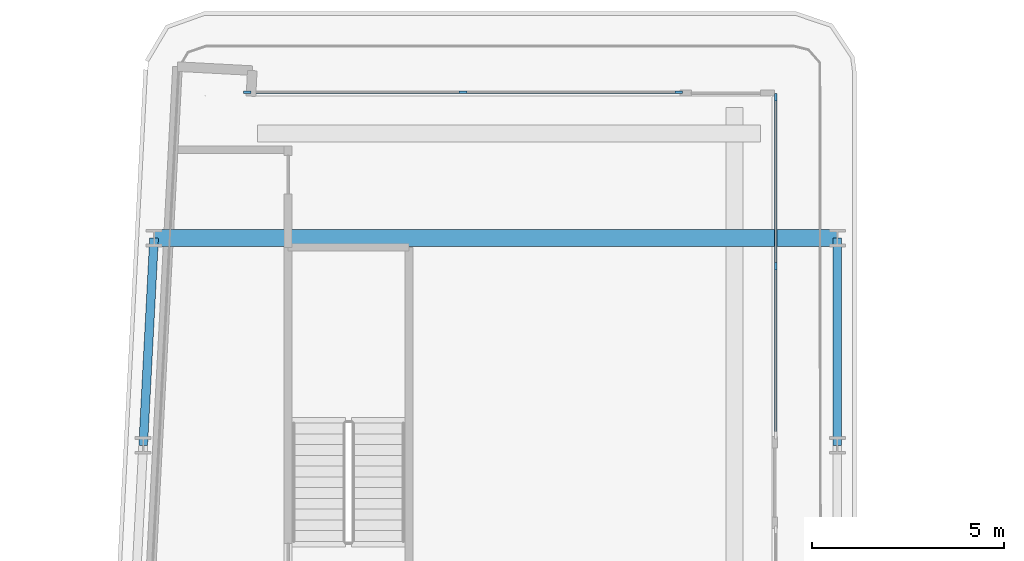
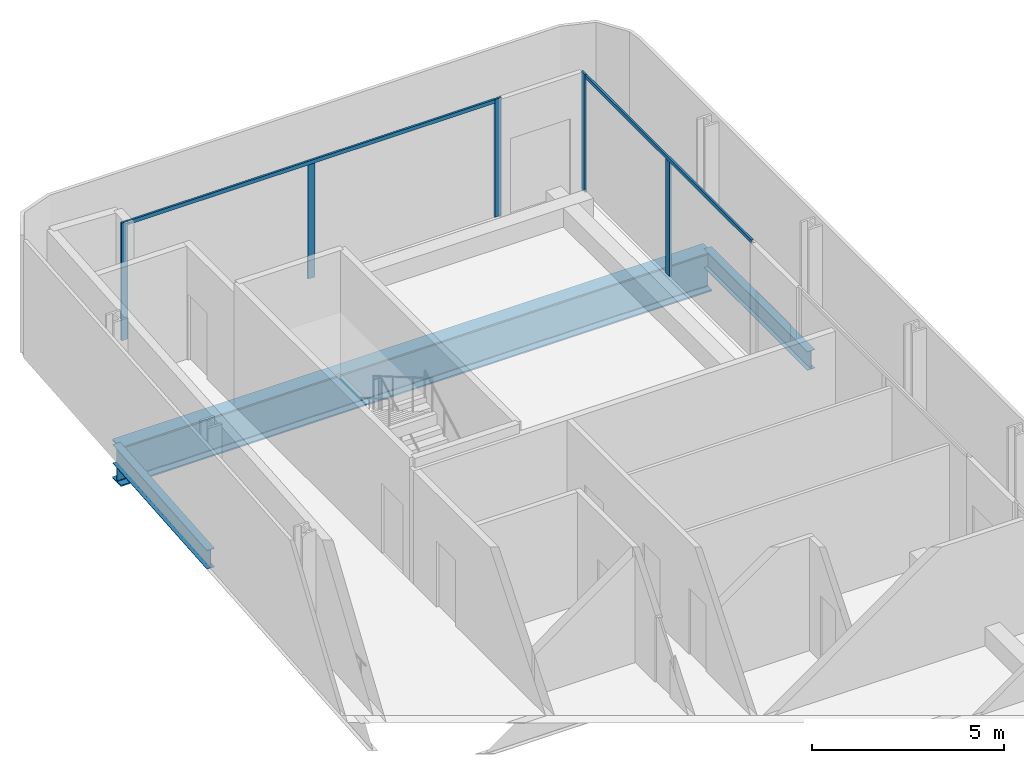
# One storey, part 9 of 25: 7 members, 3 beams, 2 elements without a shape of their own.
"""IFC4 building model written with IfcOpenShell, lengths in metres."""

from ifc_helpers import new_model, si_unit, direction, frame, origin, origin_2d, place, context, subcontext, project, spatial, rectangle, i_section, extrude, material, layer, layer_set, material_profile, profile_set, type_object, element, aggregate, save


model = new_model("IFC4")

# Units and contexts
model_context = context("Model", 3, precision=1e-05, world=origin(), true_north=direction((0.0, 1.0)))
body_context = subcontext(model_context, "Body", "Model", "MODEL_VIEW")
ifc_project = project(units=[si_unit("LENGTHUNIT", "METRE"), si_unit("AREAUNIT", "SQUARE_METRE"), si_unit("VOLUMEUNIT", "CUBIC_METRE"), si_unit("PLANEANGLEUNIT", "RADIAN"), si_unit("MASSUNIT", "GRAM", prefix="KILO")], contexts=[model_context])

# Site, building, storey
site_placement = place(None, origin())
site = spatial("IfcSite", under=ifc_project, at=site_placement, CompositionType="ELEMENT")
building_placement = place(site_placement, origin())
building = spatial("IfcBuilding", under=site, at=building_placement, Name="Kheshtan School and Residences Tower", CompositionType="ELEMENT")
storey_placement = place(building_placement, frame((0.0, 0.0, 113.60009765625)))
storey = spatial("IfcBuildingStorey", under=building, at=storey_placement, Name="L26", CompositionType="ELEMENT", Elevation=113.60009765625)

# Beams
ifc_material_1 = material(Name="Steel ASTM A992 Grade 50", Category="steel")
ifc_material_profile_1 = material_profile(ifc_material_1, i_section(OverallWidth=0.22802734375, OverallDepth=0.60302734375, WebThickness=0.010498046875, FlangeThickness=0.014892578125, FilletRadius=0.013427734375, at=origin_2d()), Name="W610x101")
ifc_profile_set_1 = profile_set([ifc_material_profile_1], Name="Steel ASTM A992 Grade 50")
beam_type_1 = type_object("IfcBeamType", Name="Beam SP2 W610x101 ASTM A992 Grade 50", PredefinedType="BEAM", material=ifc_profile_set_1)
beam_1_placement = place(storey_placement, frame((47.60009765625, 88.800048828125, -0.45166015625), z_axis=(0.0, -1.0, 0.0), x_axis=(1.0, 0.0, 0.0)))
element("IfcBeam", 1, at=beam_1_placement, inside=storey, type_object=beam_type_1, Name="Spandrel beam C099-C091", PredefinedType="BEAM", context=body_context, shape_type="SweptSolid", body=[
    extrude(i_section(OverallWidth=0.22802734375, OverallDepth=0.60302734375, WebThickness=0.010498046875, FlangeThickness=0.014892578125, FilletRadius=0.013427734375, at=origin_2d()), origin(), (0.0, 0.0, 1.0), 5.400146484375),
])
beam_2_placement = place(storey_placement, frame((29.527099609375, 83.39990234375, -0.45166015625), z_axis=(0.05250670125, 0.998620571751, 0.0), x_axis=(-0.998620571751, 0.05250670125, 0.0)))
element("IfcBeam", 2, at=beam_2_placement, inside=storey, type_object=beam_type_1, Name="Spandrel beam C090-C098", PredefinedType="BEAM", context=body_context, shape_type="SweptSolid", body=[
    extrude(i_section(OverallWidth=0.22802734375, OverallDepth=0.60302734375, WebThickness=0.010498046875, FlangeThickness=0.014892578125, FilletRadius=0.013427734375, at=origin_2d()), origin(), (0.0, 0.0, 1.0), 5.40771484375),
])

# Curtain wall, members
ifc_material_2 = material(Name="Clear low-e glass in thermally broken aluminium frame", Category="aluminium")
ifc_layer = layer(ifc_material_2, 0.199951171875)
ifc_layer_set = layer_set([ifc_layer], Name="Curtain wall CW-L")
curtain_wall_type = type_object("IfcCurtainWallType", Name="Curtain wall CW-L", PredefinedType="NOTDEFINED", material=ifc_layer_set)
curtain_wall_1_placement = place(storey_placement, origin())
curtain_wall_1 = element("IfcCurtainWall", 3, at=curtain_wall_1_placement, inside=storey, type_object=curtain_wall_type, Name="Curtain wall CWL3a", PredefinedType="NOTDEFINED")
ifc_material_3 = material(Name="Thermally broken aluminium, dark bronze anodised", Category="aluminium")
ifc_material_profile_2 = material_profile(ifc_material_3, rectangle(XDim=0.06005859375, YDim=0.199951171875, at=origin_2d()), Name="CW-L mullion 60x200")
ifc_profile_set_2 = profile_set([ifc_material_profile_2], Name="Thermally broken aluminium, dark bronze anodised")
member_type_1 = type_object("IfcMemberType", Name="CW-L mullion 60x200", PredefinedType="MULLION", material=ifc_profile_set_2)
member_1_placement = place(storey_placement, frame((32.238037109375, 92.60009765625, 0.0), z_axis=(0.0, 0.0, 1.0), x_axis=(0.0, 1.0, 0.0)))
member_1 = element("IfcMember", 4, at=member_1_placement, type_object=member_type_1, Name="CWL3a mullion 1", PredefinedType="MULLION", context=body_context, shape_type="SweptSolid", body=[
    extrude(rectangle(XDim=0.06005859375, YDim=0.199951171875, at=origin_2d()), origin(), (0.0, 0.0, 1.0), 3.75),
])
member_2_placement = place(storey_placement, frame((37.85400390625, 92.60009765625, 0.0), z_axis=(0.0, 0.0, 1.0), x_axis=(0.0, 1.0, 0.0)))
member_2 = element("IfcMember", 5, at=member_2_placement, type_object=member_type_1, Name="CWL3a mullion 2", PredefinedType="MULLION", context=body_context, shape_type="SweptSolid", body=[
    extrude(rectangle(XDim=0.06005859375, YDim=0.199951171875, at=origin_2d()), origin(), (0.0, 0.0, 1.0), 3.6298828125),
])
member_3_placement = place(storey_placement, frame((43.469970703125, 92.60009765625, 0.0), z_axis=(0.0, 0.0, 1.0), x_axis=(0.0, 1.0, 0.0)))
member_3 = element("IfcMember", 6, at=member_3_placement, type_object=member_type_1, Name="CWL3a mullion 3", PredefinedType="MULLION", context=body_context, shape_type="SweptSolid", body=[
    extrude(rectangle(XDim=0.06005859375, YDim=0.199951171875, at=origin_2d()), origin(), (0.0, 0.0, 1.0), 3.75),
])

curtain_wall_2_placement = place(storey_placement, origin())
curtain_wall_2 = element("IfcCurtainWall", 7, at=curtain_wall_2_placement, inside=storey, type_object=curtain_wall_type, Name="Curtain wall CWL4b", PredefinedType="NOTDEFINED")
member_4_placement = place(storey_placement, frame((46.0, 92.469970703125, 0.0), z_axis=(0.0, 0.0, 1.0), x_axis=(1.0, 0.0, 0.0)))
member_4 = element("IfcMember", 8, at=member_4_placement, type_object=member_type_1, Name="CWL4b mullion 1", PredefinedType="MULLION", context=body_context, shape_type="SweptSolid", body=[
    extrude(rectangle(XDim=0.06005859375, YDim=0.199951171875, at=origin_2d()), origin(), (0.0, 0.0, 1.0), 3.75),
])
member_5_placement = place(storey_placement, frame((46.0, 88.066162109375, 0.0), z_axis=(0.0, 0.0, 1.0), x_axis=(1.0, 0.0, 0.0)))
member_5 = element("IfcMember", 9, at=member_5_placement, type_object=member_type_1, Name="CWL4b mullion 2", PredefinedType="MULLION", context=body_context, shape_type="SweptSolid", body=[
    extrude(rectangle(XDim=0.06005859375, YDim=0.199951171875, at=origin_2d()), origin(), (0.0, 0.0, 1.0), 3.6298828125),
])

# Member
ifc_material_profile_3 = material_profile(ifc_material_3, rectangle(XDim=0.06005859375, YDim=0.1201171875, at=origin_2d()), Name="CW-L transom 60x120")
ifc_profile_set_3 = profile_set([ifc_material_profile_3], Name="Thermally broken aluminium, dark bronze anodised")
member_type_2 = type_object("IfcMemberType", Name="CW-L transom 60x120", PredefinedType="USERDEFINED", material=ifc_profile_set_3)
member_6_placement = place(storey_placement, frame((32.26806640625, 92.60009765625, 3.68994140625), z_axis=(1.0, 0.0, 0.0), x_axis=(0.0, 1.0, 0.0)))
member_6 = element("IfcMember", 10, at=member_6_placement, type_object=member_type_2, Name="CWL3a transom 1", ObjectType="TRANSOM", PredefinedType="USERDEFINED", context=body_context, shape_type="SweptSolid", body=[
    extrude(rectangle(XDim=0.06005859375, YDim=0.1201171875, at=origin_2d()), origin(), (0.0, 0.0, 1.0), 11.171875),
])

aggregate(curtain_wall_1, [member_1, member_2, member_3, member_6])

member_7_placement = place(storey_placement, frame((46.0, 92.43994140625, 3.68994140625), z_axis=(0.0, -1.0, 0.0), x_axis=(1.0, 0.0, 0.0)))
member_7 = element("IfcMember", 11, at=member_7_placement, type_object=member_type_2, Name="CWL4b transom 1", ObjectType="TRANSOM", PredefinedType="USERDEFINED", context=body_context, shape_type="SweptSolid", body=[
    extrude(rectangle(XDim=0.06005859375, YDim=0.1201171875, at=origin_2d()), origin(), (0.0, 0.0, 1.0), 8.74755859375),
])

aggregate(curtain_wall_2, [member_4, member_5, member_7])

# Beam
ifc_material_profile_4 = material_profile(ifc_material_1, i_section(OverallWidth=0.449951171875, OverallDepth=1.25, WebThickness=0.02490234375, FlangeThickness=0.044921875, FilletRadius=0.03759765625, at=origin_2d()), Name="WWF1250x546")
ifc_profile_set_4 = profile_set([ifc_material_profile_4], Name="Steel ASTM A992 Grade 50")
beam_type_2 = type_object("IfcBeamType", Name="Transfer girder TG4 WWF1250x546 ASTM A992 Grade 50", PredefinedType="BEAM", material=ifc_profile_set_4)
beam_3_placement = place(storey_placement, frame((29.81103515625, 88.800048828125, -0.775146484375), z_axis=(1.0, 0.0, 0.0), x_axis=(0.0, 1.0, 0.0)))
element("IfcBeam", 12, at=beam_3_placement, inside=storey, type_object=beam_type_2, Name="Transfer girder C098-C099", PredefinedType="BEAM", context=body_context, shape_type="SweptSolid", body=[
    extrude(i_section(OverallWidth=0.449951171875, OverallDepth=1.25, WebThickness=0.02490234375, FlangeThickness=0.044921875, FilletRadius=0.03759765625, at=origin_2d()), origin(), (0.0, 0.0, 1.0), 17.7890625),
])

save(model, "model.ifc")
